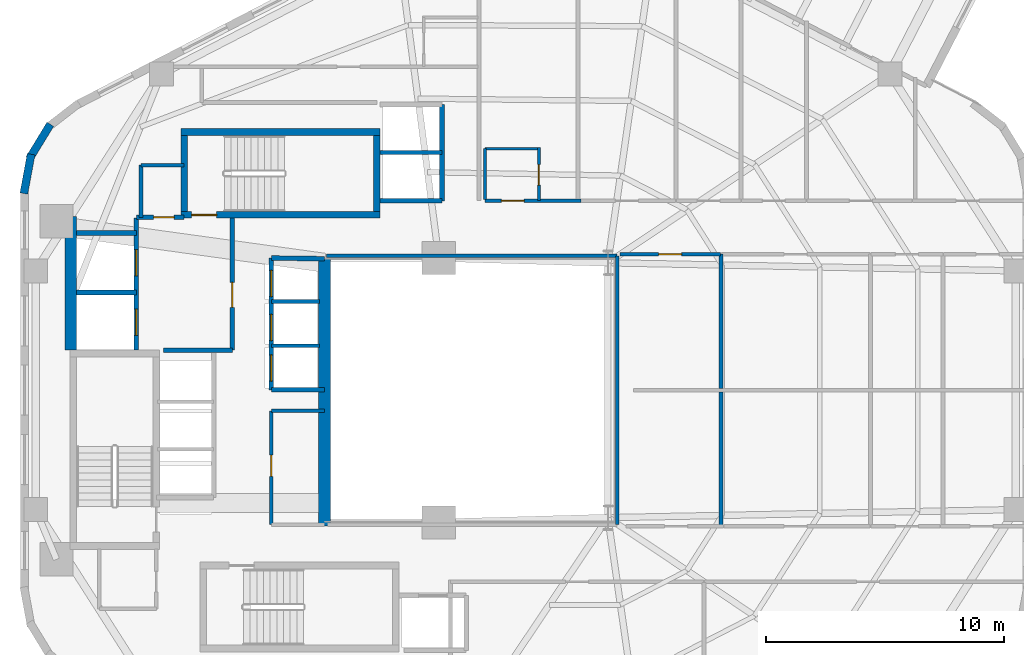
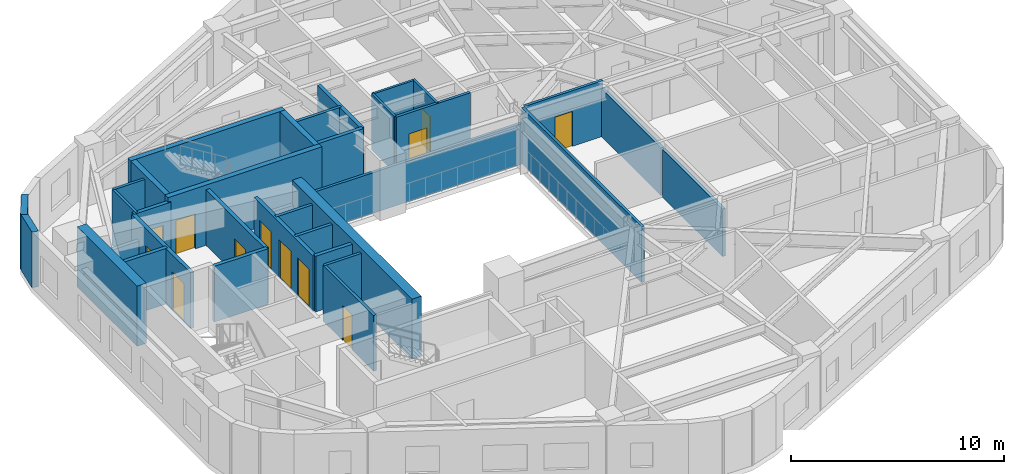
# One storey, part 6 of 11: 35 walls, 12 doors, 12 openings.
"""IFC4 building model written with IfcOpenShell, lengths in metres."""

from ifc_helpers import new_model, si_unit, direction, frame, frame_2d, origin, place, context, subcontext, project, spatial, rectangle, extrude, material, layer, layer_set, type_object, element, fill, save


model = new_model("IFC4")

# Units and contexts
model_context = context("Model", 3, precision=1e-05, world=origin(), true_north=direction((0.0, 1.0)))
body_context = subcontext(model_context, "Body", "Model", "MODEL_VIEW")
ifc_project = project(units=[si_unit("LENGTHUNIT", "METRE"), si_unit("AREAUNIT", "SQUARE_METRE"), si_unit("VOLUMEUNIT", "CUBIC_METRE"), si_unit("PLANEANGLEUNIT", "RADIAN"), si_unit("MASSUNIT", "GRAM", prefix="KILO"), si_unit("THERMODYNAMICTEMPERATUREUNIT", "KELVIN"), si_unit("POWERUNIT", "WATT")], contexts=[model_context])

# Site, building, storey
site_placement = place(None, origin())
site = spatial("IfcSite", under=ifc_project, at=site_placement, CompositionType="ELEMENT")
building_placement = place(site_placement, origin())
building = spatial("IfcBuilding", under=site, at=building_placement, Name="Skarre Station Tower", CompositionType="ELEMENT")
storey_placement = place(building_placement, frame((0.0, 0.0, 118.800048828125)))
storey = spatial("IfcBuildingStorey", under=building, at=storey_placement, Name="L31", CompositionType="ELEMENT", Elevation=118.800048828125)

# Wall, opening, door
ifc_material_1 = material(Name="Acoustic Steel-Stud Gypsum Partition", Category="steel")
ifc_layer_1 = layer(ifc_material_1, 0.14990234375, Name="Acoustic Steel-Stud Gypsum Partition")
ifc_layer_set_1 = layer_set([ifc_layer_1], Name="Acoustic Steel-Stud Gypsum Partition")
wall_type_1 = type_object("IfcWallType", Name="Fire-Rated Corridor Acoustic Partition 150", PredefinedType="PARTITIONING", material=ifc_layer_set_1)
wall_1_placement = place(storey_placement, frame((25.320068359375, 23.1298828125, 0.0), z_axis=(0.0, 0.0, 1.0), x_axis=(0.0, -1.0, 0.0)))
wall_1 = element("IfcWall", 1, at=wall_1_placement, inside=storey, type_object=wall_type_1, Name="L31 Interior Partition WL-PT-L31-RC1-W1", PredefinedType="PARTITIONING", context=body_context, shape_type="SweptSolid", body=[
    extrude(rectangle(XDim=4.769775390625, YDim=0.14990234375, at=frame_2d((2.384765625, 0.0))), origin(), (0.0, 0.0, 1.0), 3.18994140625),
])
opening_1_placement = place(wall_1_placement, frame((1.85009765625, 0.0, 0.0)))
opening_1 = element("IfcOpeningElement", 2, at=opening_1_placement, cuts=wall_1, Name="Opening DR-SVC90", PredefinedType="OPENING", context=body_context, shape_type="SweptSolid", body=[
    extrude(rectangle(XDim=0.89990234375, YDim=2.0, at=frame_2d((0.449951171875, 1.0))), frame((0.0, 0.0849609375, 0.0), z_axis=(0.0, -1.0, 0.0), x_axis=(1.0, 0.0, 0.0)), (0.0, 0.0, 1.0), 0.169921875),
])
ifc_material_2 = material(Name="Powder-Coated Hollow-Metal Acoustic Fire Leaf", Category="steel")
door_type_1 = type_object("IfcDoorType", Name="Service & Riser Fire Door FD60 900x2100", OperationType="SINGLE_SWING_LEFT", PredefinedType="DOOR", material=ifc_material_2)
door_1_placement = place(opening_1_placement, origin())
door_1 = element("IfcDoor", 3, at=door_1_placement, inside=storey, type_object=door_type_1, Name="L31 Core IT Room Door", OperationType="SINGLE_SWING_LEFT", OverallHeight=2.0, OverallWidth=0.89990234375, PredefinedType="DOOR", context=body_context, shape_type="SweptSolid", body=[
    extrude(rectangle(XDim=0.89990234375, YDim=2.0, at=frame_2d((0.449951171875, 1.0))), frame((0.0, 0.02490234375, 0.0), z_axis=(0.0, -1.0, 0.0), x_axis=(1.0, 0.0, 0.0)), (0.0, 0.0, 1.0), 0.050048828125),
])
fill(opening_1, door_1)

# Walls
wall_2_placement = place(storey_placement, frame((25.320068359375, 23.1298828125, 0.0), z_axis=(0.0, 0.0, 1.0), x_axis=(1.0, 0.0, 0.0)))
element("IfcWall", 4, at=wall_2_placement, inside=storey, type_object=wall_type_1, Name="L31 Interior Partition WL-PT-L31-RC1-N3", PredefinedType="PARTITIONING", context=body_context, shape_type="SweptSolid", body=[
    extrude(rectangle(XDim=2.22998046875, YDim=0.14990234375, at=frame_2d((1.114990234375, 0.0))), origin(), (0.0, 0.0, 1.0), 3.18994140625),
])
wall_3_placement = place(storey_placement, frame((19.85009765625, 33.449951171875, 0.0), z_axis=(0.0, 0.0, 1.0), x_axis=(0.0, -1.0, 0.0)))
element("IfcWall", 5, at=wall_3_placement, inside=storey, type_object=wall_type_1, Name="L31 Interior Partition WL-PT-L31-CNW-W", PredefinedType="PARTITIONING", context=body_context, shape_type="SweptSolid", body=[
    extrude(rectangle(XDim=2.18994140625, YDim=0.14990234375, at=frame_2d((1.094970703125, 0.0))), origin(), (0.0, 0.0, 1.0), 3.18994140625),
])
wall_4_placement = place(storey_placement, frame((21.659912109375, 33.449951171875, 0.0), z_axis=(0.0, 0.0, 1.0), x_axis=(-1.0, 0.0, 0.0)))
element("IfcWall", 6, at=wall_4_placement, inside=storey, type_object=wall_type_1, Name="L31 Interior Partition WL-PT-L31-CNW-N1", PredefinedType="PARTITIONING", context=body_context, shape_type="SweptSolid", body=[
    extrude(rectangle(XDim=1.809814453125, YDim=0.14990234375, at=frame_2d((0.90478515625, 0.0))), origin(), (0.0, 0.0, 1.0), 3.18994140625),
])
wall_5_placement = place(storey_placement, frame((39.840087890625, 29.639892578125, 0.0), z_axis=(0.0, 0.0, 1.0), x_axis=(-1.0, 0.0, 0.0)))
element("IfcWall", 7, at=wall_5_placement, inside=storey, type_object=wall_type_1, Name="L31 Interior Partition WL-PT-L31-ATRW-N", PredefinedType="PARTITIONING", context=body_context, shape_type="SweptSolid", body=[
    extrude(rectangle(XDim=12.2001953125, YDim=0.14990234375, at=frame_2d((6.10009765625, 0.0))), origin(), (0.0, 0.0, 1.0), 2.3310546875),
])
wall_6_placement = place(storey_placement, frame((39.840087890625, 18.360107421875, 0.0), z_axis=(0.0, 0.0, 1.0), x_axis=(0.0, 1.0, 0.0)))
element("IfcWall", 8, at=wall_6_placement, inside=storey, type_object=wall_type_1, Name="L31 Interior Partition WL-PT-L31-ATRW-E", PredefinedType="PARTITIONING", context=body_context, shape_type="SweptSolid", body=[
    extrude(rectangle(XDim=11.27978515625, YDim=0.14990234375, at=frame_2d((5.639892578125, 0.0))), origin(), (0.0, 0.0, 1.0), 3.18994140625),
])

# Wall, opening, door
wall_7_placement = place(storey_placement, frame((38.31103515625, 31.9599609375, 0.0), z_axis=(0.0, 0.0, 1.0), x_axis=(-1.0, 0.0, 0.0)))
wall_7 = element("IfcWall", 9, at=wall_7_placement, inside=storey, type_object=wall_type_1, Name="L31 Interior Partition WL-PT-L31-NW1-CW", PredefinedType="PARTITIONING", context=body_context, shape_type="SweptSolid", body=[
    extrude(rectangle(XDim=4.02099609375, YDim=0.14990234375, at=frame_2d((2.010498046875, 0.0))), origin(), (0.0, 0.0, 1.0), 3.18994140625),
])
opening_2_placement = place(wall_7_placement, frame((2.3740234375, 0.0, 0.0)))
opening_2 = element("IfcOpeningElement", 10, at=opening_2_placement, cuts=wall_7, Name="Opening DR-FD60", PredefinedType="OPENING", context=body_context, shape_type="SweptSolid", body=[
    extrude(rectangle(XDim=0.9599609375, YDim=2.0, at=frame_2d((0.47998046875, 1.0))), frame((0.0, 0.0849609375, 0.0), z_axis=(0.0, -1.0, 0.0), x_axis=(1.0, 0.0, 0.0)), (0.0, 0.0, 1.0), 0.169921875),
])
ifc_material_3 = material(Name="Nordic White-Oak Veneer Solid-Core Fire Leaf", Category="wood")
door_type_2 = type_object("IfcDoorType", Name="Corridor Suite Entry Fire Door FD60 960x2150", OperationType="SINGLE_SWING_LEFT", PredefinedType="DOOR", material=ifc_material_3)
door_2_placement = place(opening_2_placement, origin())
door_2 = element("IfcDoor", 11, at=door_2_placement, inside=storey, type_object=door_type_2, Name="L31 NW1 Entry Door", OperationType="SINGLE_SWING_LEFT", OverallHeight=2.0, OverallWidth=0.9599609375, PredefinedType="DOOR", context=body_context, shape_type="SweptSolid", body=[
    extrude(rectangle(XDim=0.9599609375, YDim=2.0, at=frame_2d((0.47998046875, 1.0))), frame((0.0, 0.02490234375, 0.0), z_axis=(0.0, -1.0, 0.0), x_axis=(1.0, 0.0, 0.0)), (0.0, 0.0, 1.0), 0.050048828125),
])
fill(opening_2, door_2)

wall_8_placement = place(storey_placement, frame((39.949951171875, 29.7099609375, 0.0), z_axis=(0.0, 0.0, 1.0), x_axis=(1.0, 0.0, 0.0)))
wall_8 = element("IfcWall", 12, at=wall_8_placement, inside=storey, type_object=wall_type_1, Name="L31 Interior Partition WL-PT-L31-EWN1-CW", PredefinedType="PARTITIONING", context=body_context, shape_type="SweptSolid", body=[
    extrude(rectangle(XDim=4.22705078125, YDim=0.14990234375, at=frame_2d((2.113525390625, 0.0))), origin(), (0.0, 0.0, 1.0), 3.18994140625),
])
opening_3_placement = place(wall_8_placement, frame((1.633056640625, 0.0, 0.0)))
opening_3 = element("IfcOpeningElement", 13, at=opening_3_placement, cuts=wall_8, Name="Opening DR-FD60", PredefinedType="OPENING", context=body_context, shape_type="SweptSolid", body=[
    extrude(rectangle(XDim=0.9599609375, YDim=2.0, at=frame_2d((0.47998046875, 1.0))), frame((0.0, 0.0849609375, 0.0), z_axis=(0.0, -1.0, 0.0), x_axis=(1.0, 0.0, 0.0)), (0.0, 0.0, 1.0), 0.169921875),
])
door_3_placement = place(opening_3_placement, origin())
door_3 = element("IfcDoor", 14, at=door_3_placement, inside=storey, type_object=door_type_2, Name="L31 EWN1 Entry Door", OperationType="SINGLE_SWING_LEFT", OverallHeight=2.0, OverallWidth=0.9599609375, PredefinedType="DOOR", context=body_context, shape_type="SweptSolid", body=[
    extrude(rectangle(XDim=0.9599609375, YDim=2.0, at=frame_2d((0.47998046875, 1.0))), frame((0.0, 0.02490234375, 0.0), z_axis=(0.0, -1.0, 0.0), x_axis=(1.0, 0.0, 0.0)), (0.0, 0.0, 1.0), 0.050048828125),
])
fill(opening_3, door_3)

ifc_material_4 = material(Name="Insulated Timber-Stud Gypsum Partition", Category="wood")
ifc_layer_2 = layer(ifc_material_4, 0.1201171875, Name="Insulated Timber-Stud Gypsum Partition")
ifc_layer_set_2 = layer_set([ifc_layer_2], Name="Insulated Timber-Stud Gypsum Partition")
wall_type_2 = type_object("IfcWallType", Name="Internal Suite Acoustic Partition 120", PredefinedType="PARTITIONING", material=ifc_layer_set_2)
wall_9_placement = place(storey_placement, frame((36.550048828125, 31.9599609375, 0.0), z_axis=(0.0, 0.0, 1.0), x_axis=(0.0, 1.0, 0.0)))
wall_9 = element("IfcWall", 15, at=wall_9_placement, inside=storey, type_object=wall_type_2, Name="L31 Interior Partition WL-PT-L31-NW1-EW2", PredefinedType="PARTITIONING", context=body_context, shape_type="SweptSolid", body=[
    extrude(rectangle(XDim=2.239990234375, YDim=0.1201171875, at=frame_2d((1.1201171875, 0.0))), origin(), (0.0, 0.0, 1.0), 3.18994140625),
])
opening_4_placement = place(wall_9_placement, frame((0.64990234375, 0.0, 0.0)))
opening_4 = element("IfcOpeningElement", 16, at=opening_4_placement, cuts=wall_9, Name="Opening DR-INT86", PredefinedType="OPENING", context=body_context, shape_type="SweptSolid", body=[
    extrude(rectangle(XDim=0.860107421875, YDim=2.0, at=frame_2d((0.43017578125, 1.0))), frame((0.0, 0.070068359375, 0.0), z_axis=(0.0, -1.0, 0.0), x_axis=(1.0, 0.0, 0.0)), (0.0, 0.0, 1.0), 0.14013671875),
])
ifc_material_5 = material(Name="Nordic Birch Acoustic Solid-Core Timber Leaf", Category="wood")
door_type_3 = type_object("IfcDoorType", Name="Internal En-Suite & Bedroom Door 860x2100", OperationType="SINGLE_SWING_LEFT", PredefinedType="DOOR", material=ifc_material_5)
door_4_placement = place(opening_4_placement, origin())
door_4 = element("IfcDoor", 17, at=door_4_placement, inside=storey, type_object=door_type_3, Name="L31 NW1 En-suite Door", OperationType="SINGLE_SWING_LEFT", OverallHeight=2.0, OverallWidth=0.860107421875, PredefinedType="DOOR", context=body_context, shape_type="SweptSolid", body=[
    extrude(rectangle(XDim=0.860107421875, YDim=2.0, at=frame_2d((0.43017578125, 1.0))), frame((0.0, 0.02490234375, 0.0), z_axis=(0.0, -1.0, 0.0), x_axis=(1.0, 0.0, 0.0)), (0.0, 0.0, 1.0), 0.050048828125),
])
fill(opening_4, door_4)

# Walls
wall_10_placement = place(storey_placement, frame((36.610107421875, 34.139892578125, 0.0), z_axis=(0.0, 0.0, 1.0), x_axis=(-1.0, 0.0, 0.0)))
element("IfcWall", 18, at=wall_10_placement, inside=storey, type_object=wall_type_2, Name="L31 Interior Partition WL-PT-L31-NW1-EW3", PredefinedType="PARTITIONING", context=body_context, shape_type="SweptSolid", body=[
    extrude(rectangle(XDim=2.320068359375, YDim=0.1201171875, at=frame_2d((1.16015625, 0.0))), origin(), (0.0, 0.0, 1.0), 3.18994140625),
])
wall_11_placement = place(storey_placement, frame((34.2900390625, 34.139892578125, 0.0), z_axis=(0.0, 0.0, 1.0), x_axis=(0.0, -1.0, 0.0)))
element("IfcWall", 19, at=wall_11_placement, inside=storey, type_object=wall_type_2, Name="L31 Interior Partition WL-PT-L31-NW1-EW4", PredefinedType="PARTITIONING", context=body_context, shape_type="SweptSolid", body=[
    extrude(rectangle(XDim=2.139892578125, YDim=0.1201171875, at=frame_2d((1.06982421875, 0.0))), origin(), (0.0, 0.0, 1.0), 3.18994140625),
])
ifc_material_6 = material(Name="Precast concrete C45/55", Category="concrete")
ifc_layer_3 = layer(ifc_material_6, 0.330078125, Name="Precast concrete C45/55")
ifc_layer_set_3 = layer_set([ifc_layer_3], Name="Precast concrete C45/55")
wall_type_3 = type_object("IfcWallType", Name="Nordic Rounded Corner Precast Wall 330", PredefinedType="STANDARD", material=ifc_layer_set_3)
wall_12_placement = place(storey_placement, frame((14.931884765625, 32.258056640625, 0.0), z_axis=(0.0, 0.0, 1.0), x_axis=(0.181984991895, 0.983301308209, 0.0)))
element("IfcWall", 20, at=wall_12_placement, inside=storey, type_object=wall_type_3, Name="L31 Rounded Corner Precast Wall F2-1", PredefinedType="STANDARD", context=body_context, shape_type="SweptSolid", body=[
    extrude(rectangle(XDim=1.677001953125, YDim=0.330078125, at=frame_2d((0.83837890625, 0.0))), origin(), (0.0, 0.0, 1.0), 3.18994140625),
])
wall_13_placement = place(storey_placement, frame((15.169921875, 33.73193359375, 0.0), z_axis=(0.0, 0.0, 1.0), x_axis=(0.520519429557, 0.853849824883, 0.0)))
element("IfcWall", 21, at=wall_13_placement, inside=storey, type_object=wall_type_3, Name="L31 Rounded Corner Precast Wall F2-2", PredefinedType="STANDARD", context=body_context, shape_type="SweptSolid", body=[
    extrude(rectangle(XDim=1.67724609375, YDim=0.330078125, at=frame_2d((0.838623046875, 0.0))), origin(), (0.0, 0.0, 1.0), 3.18994140625),
])

# Wall, opening, door
ifc_material_7 = material(Name="Concrete C50/60", Category="concrete")
ifc_layer_4 = layer(ifc_material_7, 0.280029296875, Name="Concrete C50/60")
ifc_layer_set_4 = layer_set([ifc_layer_4], Name="Concrete C50/60")
wall_type_4 = type_object("IfcWallType", Name="RC Core Shear Wall 280", PredefinedType="SHEAR", material=ifc_layer_set_4)
wall_14_placement = place(storey_placement, frame((21.52001953125, 31.360107421875, 0.0), z_axis=(0.0, 0.0, 1.0), x_axis=(1.0, 0.0, 0.0)))
wall_14 = element("IfcWall", 22, at=wall_14_placement, inside=storey, type_object=wall_type_4, Name="L31 Stair ST-3 South Shear Wall", PredefinedType="SHEAR", context=body_context, shape_type="SweptSolid", body=[
    extrude(rectangle(XDim=8.35986328125, YDim=0.280029296875, at=frame_2d((4.179931640625, 0.0))), origin(), (0.0, 0.0, 1.0), 3.449951171875),
])
opening_5_placement = place(wall_14_placement, frame((0.449951171875, 0.0, 0.0)))
opening_5 = element("IfcOpeningElement", 23, at=opening_5_placement, cuts=wall_14, Name="Opening DR-FD90", PredefinedType="OPENING", context=body_context, shape_type="SweptSolid", body=[
    extrude(rectangle(XDim=1.050048828125, YDim=2.0, at=frame_2d((0.52490234375, 1.0))), frame((0.0, 0.14990234375, 0.0), z_axis=(0.0, -1.0, 0.0), x_axis=(1.0, 0.0, 0.0)), (0.0, 0.0, 1.0), 0.300048828125),
])
ifc_material_8 = material(Name="Fire-Rated Insulated Steel Frame & Timber Core Leaf", Category="steel")
door_type_4 = type_object("IfcDoorType", Name="Stair & FSAE Lobby Fire Door FD90 1050x2150", OperationType="SINGLE_SWING_RIGHT", PredefinedType="DOOR", material=ifc_material_8)
door_5_placement = place(opening_5_placement, origin())
door_5 = element("IfcDoor", 24, at=door_5_placement, inside=storey, type_object=door_type_4, Name="L31 Stair ST-3 & FSAE Lobby Direct Exit Door", OperationType="SINGLE_SWING_LEFT", OverallHeight=2.0, OverallWidth=1.050048828125, PredefinedType="DOOR", context=body_context, shape_type="SweptSolid", body=[
    extrude(rectangle(XDim=1.050048828125, YDim=2.0, at=frame_2d((0.52490234375, 1.0))), frame((0.0, 0.02490234375, 0.0), z_axis=(0.0, -1.0, 0.0), x_axis=(1.0, 0.0, 0.0)), (0.0, 0.0, 1.0), 0.050048828125),
])
fill(opening_5, door_5)

# Walls
wall_15_placement = place(storey_placement, frame((29.8798828125, 34.840087890625, 0.0), z_axis=(0.0, 0.0, 1.0), x_axis=(-1.0, 0.0, 0.0)))
element("IfcWall", 25, at=wall_15_placement, inside=storey, type_object=wall_type_4, Name="L31 Stair ST-3 North Shear Wall", PredefinedType="SHEAR", context=body_context, shape_type="SweptSolid", body=[
    extrude(rectangle(XDim=8.35986328125, YDim=0.280029296875, at=frame_2d((4.179931640625, 0.0))), origin(), (0.0, 0.0, 1.0), 3.449951171875),
])
for number, where, z_axis, x_axis, name in (
    (26, (21.659912109375, 34.699951171875, 0.0), (0.0, 0.0, 1.0), (0.0, -1.0, 0.0), "L31 Stair ST-3 West Shear Wall"),
    (27, (29.739990234375, 31.5, 0.0), (0.0, 0.0, 1.0), (0.0, 1.0, 0.0), "L31 Stair ST-3 East Shear Wall"),
):
    element("IfcWall", number, at=place(storey_placement, frame(where, z_axis=z_axis, x_axis=x_axis)), inside=storey, type_object=wall_type_4, Name=name, PredefinedType="SHEAR", context=body_context, shape_type="SweptSolid", body=[
        extrude(rectangle(XDim=3.199951171875, YDim=0.280029296875, at=frame_2d((1.60009765625, 0.0))), origin(), (0.0, 0.0, 1.0), 3.449951171875),
    ])
ifc_material_9 = material(Name="Concrete C70/85", Category="concrete")
ifc_layer_5 = layer(ifc_material_9, 0.5, Name="Concrete C70/85")
ifc_layer_set_5 = layer_set([ifc_layer_5], Name="Concrete C70/85")
wall_type_5 = type_object("IfcWallType", Name="RC Core Shear Wall 500", PredefinedType="SHEAR", material=ifc_layer_set_5)
wall_16_placement = place(storey_placement, frame((16.89990234375, 25.679931640625, 0.0), z_axis=(0.0, 0.0, 1.0), x_axis=(0.0, 1.0, 0.0)))
element("IfcWall", 28, at=wall_16_placement, inside=storey, type_object=wall_type_5, Name="L31 Core West-North Shear Wall", PredefinedType="SHEAR", context=body_context, shape_type="SweptSolid", body=[
    extrude(rectangle(XDim=5.6201171875, YDim=0.5, at=frame_2d((2.81005859375, 0.0))), origin(), (0.0, 0.0, 1.0), 3.449951171875),
])
wall_17_placement = place(storey_placement, frame((27.550048828125, 29.550048828125, 0.0), z_axis=(0.0, 0.0, 1.0), x_axis=(0.0, -1.0, 0.0)))
element("IfcWall", 29, at=wall_17_placement, inside=storey, type_object=wall_type_5, Name="L31 Core East Atrium Shear Wall", PredefinedType="SHEAR", context=body_context, shape_type="SweptSolid", body=[
    extrude(rectangle(XDim=11.25, YDim=0.5, at=frame_2d((5.625, 0.0))), origin(), (0.0, 0.0, 1.0), 3.449951171875),
])

# Wall, openings, doors
ifc_material_10 = material(Name="Gypsum Concrete Shaft Assembly C30/37", Category="concrete")
ifc_layer_6 = layer(ifc_material_10, 0.199951171875, Name="Gypsum Concrete Shaft Assembly C30/37")
ifc_layer_set_6 = layer_set([ifc_layer_6], Name="Gypsum Concrete Shaft Assembly C30/37")
wall_type_6 = type_object("IfcWallType", Name="Shaft & Core Fire Partition 200", PredefinedType="PARTITIONING", material=ifc_layer_set_6)
wall_18_placement = place(storey_placement, frame((19.64990234375, 25.679931640625, 0.0), z_axis=(0.0, 0.0, 1.0), x_axis=(0.0, 1.0, 0.0)))
wall_18 = element("IfcWall", 30, at=wall_18_placement, inside=storey, type_object=wall_type_6, Name="L31 Interior Partition WL-PT-L31-FSAE-W", PredefinedType="PARTITIONING", context=body_context, shape_type="SweptSolid", body=[
    extrude(rectangle(XDim=5.5400390625, YDim=0.199951171875, at=frame_2d((2.77001953125, 0.0))), origin(), (0.0, 0.0, 1.0), 3.18994140625),
])
opening_6_placement = place(wall_18_placement, frame((0.6201171875, 0.0, 0.0)))
opening_6 = element("IfcOpeningElement", 31, at=opening_6_placement, cuts=wall_18, Name="Opening LD-FF1", PredefinedType="OPENING", context=body_context, shape_type="SweptSolid", body=[
    extrude(rectangle(XDim=1.10009765625, YDim=2.199951171875, at=frame_2d((0.550048828125, 1.10009765625))), frame((0.0, 0.10986328125, 0.0), z_axis=(0.0, -1.0, 0.0), x_axis=(1.0, 0.0, 0.0)), (0.0, 0.0, 1.0), 0.219970703125),
])
opening_7_placement = place(wall_18_placement, frame((3.1201171875, 0.0, 0.0)))
opening_7 = element("IfcOpeningElement", 32, at=opening_7_placement, cuts=wall_18, Name="Opening LD-FF2", PredefinedType="OPENING", context=body_context, shape_type="SweptSolid", body=[
    extrude(rectangle(XDim=1.10009765625, YDim=2.199951171875, at=frame_2d((0.550048828125, 1.10009765625))), frame((0.0, 0.10986328125, 0.0), z_axis=(0.0, -1.0, 0.0), x_axis=(1.0, 0.0, 0.0)), (0.0, 0.0, 1.0), 0.219970703125),
])
ifc_material_11 = material(Name="Fire-Rated Stainless Steel Grade 316L Sliding Leaves", Category="steel")
door_type_5 = type_object("IfcDoorType", Name="Fire Service Access Elevator Sliding Landing Door 1100x2200", OperationType="SLIDING_TO_LEFT", PredefinedType="DOOR", material=ifc_material_11)
door_6_placement = place(opening_6_placement, origin())
door_6 = element("IfcDoor", 33, at=door_6_placement, inside=storey, type_object=door_type_5, Name="L31 Firefighting Lift LF-FF1 Landing Door", OperationType="SLIDING_TO_LEFT", OverallHeight=2.199951171875, OverallWidth=1.10009765625, PredefinedType="DOOR", context=body_context, shape_type="SweptSolid", body=[
    extrude(rectangle(XDim=1.10009765625, YDim=2.199951171875, at=frame_2d((0.550048828125, 1.10009765625))), frame((0.0, 0.02490234375, 0.0), z_axis=(0.0, -1.0, 0.0), x_axis=(1.0, 0.0, 0.0)), (0.0, 0.0, 1.0), 0.050048828125),
])
fill(opening_6, door_6)
door_7_placement = place(opening_7_placement, origin())
door_7 = element("IfcDoor", 34, at=door_7_placement, inside=storey, type_object=door_type_5, Name="L31 Firefighting Lift LF-FF2 Landing Door", OperationType="SLIDING_TO_LEFT", OverallHeight=2.199951171875, OverallWidth=1.10009765625, PredefinedType="DOOR", context=body_context, shape_type="SweptSolid", body=[
    extrude(rectangle(XDim=1.10009765625, YDim=2.199951171875, at=frame_2d((0.550048828125, 1.10009765625))), frame((0.0, 0.02490234375, 0.0), z_axis=(0.0, -1.0, 0.0), x_axis=(1.0, 0.0, 0.0)), (0.0, 0.0, 1.0), 0.050048828125),
])
fill(opening_7, door_7)

# Wall
wall_19_placement = place(storey_placement, frame((20.79296875, 25.679931640625, 0.0), z_axis=(0.0, 0.0, 1.0), x_axis=(1.0, 0.0, 0.0)))
element("IfcWall", 35, at=wall_19_placement, inside=storey, type_object=wall_type_6, Name="L31 Interior Partition WL-PT-L31-FSAE-S", PredefinedType="PARTITIONING", context=body_context, shape_type="SweptSolid", body=[
    extrude(rectangle(XDim=2.886962890625, YDim=0.199951171875, at=frame_2d((1.443359375, 0.0))), origin(), (0.0, 0.0, 1.0), 3.18994140625),
])

# Wall, opening, door
wall_20_placement = place(storey_placement, frame((23.679931640625, 25.679931640625, 0.0), z_axis=(0.0, 0.0, 1.0), x_axis=(0.0, 1.0, 0.0)))
wall_20 = element("IfcWall", 36, at=wall_20_placement, inside=storey, type_object=wall_type_6, Name="L31 Interior Partition WL-PT-L31-FSAE-E", PredefinedType="PARTITIONING", context=body_context, shape_type="SweptSolid", body=[
    extrude(rectangle(XDim=5.5400390625, YDim=0.199951171875, at=frame_2d((2.77001953125, 0.0))), origin(), (0.0, 0.0, 1.0), 3.18994140625),
])
opening_8_placement = place(wall_20_placement, frame((1.800048828125, 0.0, 0.0)))
opening_8 = element("IfcOpeningElement", 37, at=opening_8_placement, cuts=wall_20, Name="Opening DR-FD90", PredefinedType="OPENING", context=body_context, shape_type="SweptSolid", body=[
    extrude(rectangle(XDim=1.050048828125, YDim=2.0, at=frame_2d((0.52490234375, 1.0))), frame((0.0, 0.10986328125, 0.0), z_axis=(0.0, -1.0, 0.0), x_axis=(1.0, 0.0, 0.0)), (0.0, 0.0, 1.0), 0.219970703125),
])
door_8_placement = place(opening_8_placement, origin())
door_8 = element("IfcDoor", 38, at=door_8_placement, inside=storey, type_object=door_type_4, Name="L31 FSAE Lobby Fire Door", OperationType="SINGLE_SWING_RIGHT", OverallHeight=2.0, OverallWidth=1.050048828125, PredefinedType="DOOR", context=body_context, shape_type="SweptSolid", body=[
    extrude(rectangle(XDim=1.050048828125, YDim=2.0, at=frame_2d((0.52490234375, 1.0))), frame((0.0, 0.02490234375, 0.0), z_axis=(0.0, -1.0, 0.0), x_axis=(1.0, 0.0, 0.0)), (0.0, 0.0, 1.0), 0.050048828125),
])
fill(opening_8, door_8)

wall_21_placement = place(storey_placement, frame((21.659912109375, 31.260009765625, 0.0), z_axis=(0.0, 0.0, 1.0), x_axis=(-1.0, 0.0, 0.0)))
wall_21 = element("IfcWall", 39, at=wall_21_placement, inside=storey, type_object=wall_type_6, Name="L31 Interior Partition WL-PT-L31-FSAE-N", PredefinedType="PARTITIONING", context=body_context, shape_type="SweptSolid", body=[
    extrude(rectangle(XDim=2.010009765625, YDim=0.199951171875, at=frame_2d((1.0048828125, 0.0))), origin(), (0.0, 0.0, 1.0), 3.18994140625),
])
opening_9_placement = place(wall_21_placement, frame((0.419921875, 0.0, 0.0)))
opening_9 = element("IfcOpeningElement", 40, at=opening_9_placement, cuts=wall_21, Name="Opening DR-SVC86", PredefinedType="OPENING", context=body_context, shape_type="SweptSolid", body=[
    extrude(rectangle(XDim=0.860107421875, YDim=2.0, at=frame_2d((0.43017578125, 1.0))), frame((0.0, 0.10986328125, 0.0), z_axis=(0.0, -1.0, 0.0), x_axis=(1.0, 0.0, 0.0)), (0.0, 0.0, 1.0), 0.219970703125),
])
door_type_6 = type_object("IfcDoorType", Name="Compact Riser Fire Door FD60 860x2100", OperationType="SINGLE_SWING_LEFT", PredefinedType="DOOR", material=ifc_material_2)
door_9_placement = place(opening_9_placement, origin())
door_9 = element("IfcDoor", 41, at=door_9_placement, inside=storey, type_object=door_type_6, Name="L31 Core Service Room Lobby Door", OperationType="SINGLE_SWING_LEFT", OverallHeight=2.0, OverallWidth=0.860107421875, PredefinedType="DOOR", context=body_context, shape_type="SweptSolid", body=[
    extrude(rectangle(XDim=0.860107421875, YDim=2.0, at=frame_2d((0.43017578125, 1.0))), frame((0.0, 0.02490234375, 0.0), z_axis=(0.0, -1.0, 0.0), x_axis=(1.0, 0.0, 0.0)), (0.0, 0.0, 1.0), 0.050048828125),
])
fill(opening_9, door_9)

# Walls
wall_22_placement = place(storey_placement, frame((17.14990234375, 28.10009765625, 0.0), z_axis=(0.0, 0.0, 1.0), x_axis=(1.0, 0.0, 0.0)))
element("IfcWall", 42, at=wall_22_placement, inside=storey, type_object=wall_type_6, Name="L31 Interior Partition WL-PT-L31-FF-DIV", PredefinedType="PARTITIONING", context=body_context, shape_type="SweptSolid", body=[
    extrude(rectangle(XDim=2.5, YDim=0.199951171875, at=frame_2d((1.25, 0.0))), origin(), (0.0, 0.0, 1.0), 3.18994140625),
])
wall_23_placement = place(storey_placement, frame((19.64990234375, 30.60009765625, 0.0), z_axis=(0.0, 0.0, 1.0), x_axis=(-1.0, 0.0, 0.0)))
element("IfcWall", 43, at=wall_23_placement, inside=storey, type_object=wall_type_6, Name="L31 Interior Partition WL-PT-L31-FF-N", PredefinedType="PARTITIONING", context=body_context, shape_type="SweptSolid", body=[
    extrude(rectangle(XDim=2.5, YDim=0.199951171875, at=frame_2d((1.25, 0.0))), origin(), (0.0, 0.0, 1.0), 2.08984375),
])
wall_24_placement = place(storey_placement, frame((32.47998046875, 31.949951171875, 0.0), z_axis=(0.0, 0.0, 1.0), x_axis=(0.0, 1.0, 0.0)))
element("IfcWall", 44, at=wall_24_placement, inside=storey, type_object=wall_type_6, Name="L31 Interior Partition WL-PT-L31-EX-E", PredefinedType="PARTITIONING", context=body_context, shape_type="SweptSolid", body=[
    extrude(rectangle(XDim=4.050048828125, YDim=0.199951171875, at=frame_2d((2.02490234375, 0.0))), origin(), (0.0, 0.0, 1.0), 3.18994140625),
])
wall_25_placement = place(storey_placement, frame((32.47998046875, 31.949951171875, 0.0), z_axis=(0.0, 0.0, 1.0), x_axis=(-1.0, 0.0, 0.0)))
element("IfcWall", 45, at=wall_25_placement, inside=storey, type_object=wall_type_6, Name="L31 Interior Partition WL-PT-L31-EX-S", PredefinedType="PARTITIONING", context=body_context, shape_type="SweptSolid", body=[
    extrude(rectangle(XDim=2.60009765625, YDim=0.199951171875, at=frame_2d((1.300048828125, 0.0))), origin(), (0.0, 0.0, 1.0), 3.18994140625),
])
wall_26_placement = place(storey_placement, frame((29.875, 33.97998046875, 0.0), z_axis=(0.0, 0.0, 1.0), x_axis=(1.0, 0.0, 0.0)))
element("IfcWall", 46, at=wall_26_placement, inside=storey, type_object=wall_type_6, Name="L31 Interior Partition WL-PT-L31-EX-DIV", PredefinedType="PARTITIONING", context=body_context, shape_type="SweptSolid", body=[
    extrude(rectangle(XDim=2.60498046875, YDim=0.159912109375, at=frame_2d((1.302490234375, 0.0))), origin(), (0.0, 0.0, 1.0), 3.18994140625),
])

# Wall, openings, doors
wall_27_placement = place(storey_placement, frame((25.320068359375, 29.550048828125, 0.0), z_axis=(0.0, 0.0, 1.0), x_axis=(0.0, -1.0, 0.0)))
wall_27 = element("IfcWall", 47, at=wall_27_placement, inside=storey, type_object=wall_type_6, Name="L31 Interior Partition WL-PT-L31-B2-W", PredefinedType="PARTITIONING", context=body_context, shape_type="SweptSolid", body=[
    extrude(rectangle(XDim=5.530029296875, YDim=0.199951171875, at=frame_2d((2.76513671875, 0.0))), origin(), (0.0, 0.0, 1.0), 3.18994140625),
])
opening_10_placement = place(wall_27_placement, frame((0.52001953125, 0.0, 0.0)))
opening_10 = element("IfcOpeningElement", 48, at=opening_10_placement, cuts=wall_27, Name="Opening LD-P6", PredefinedType="OPENING", context=body_context, shape_type="SweptSolid", body=[
    extrude(rectangle(XDim=1.10009765625, YDim=2.199951171875, at=frame_2d((0.550048828125, 1.10009765625))), frame((0.0, 0.10986328125, 0.0), z_axis=(0.0, -1.0, 0.0), x_axis=(1.0, 0.0, 0.0)), (0.0, 0.0, 1.0), 0.219970703125),
])
opening_11_placement = place(wall_27_placement, frame((2.3701171875, 0.0, 0.0)))
opening_11 = element("IfcOpeningElement", 49, at=opening_11_placement, cuts=wall_27, Name="Opening LD-P5", PredefinedType="OPENING", context=body_context, shape_type="SweptSolid", body=[
    extrude(rectangle(XDim=1.10009765625, YDim=2.199951171875, at=frame_2d((0.550048828125, 1.10009765625))), frame((0.0, 0.10986328125, 0.0), z_axis=(0.0, -1.0, 0.0), x_axis=(1.0, 0.0, 0.0)), (0.0, 0.0, 1.0), 0.219970703125),
])
opening_12_placement = place(wall_27_placement, frame((4.070068359375, 0.0, 0.0)))
opening_12 = element("IfcOpeningElement", 50, at=opening_12_placement, cuts=wall_27, Name="Opening LD-P4", PredefinedType="OPENING", context=body_context, shape_type="SweptSolid", body=[
    extrude(rectangle(XDim=1.10009765625, YDim=2.199951171875, at=frame_2d((0.550048828125, 1.10009765625))), frame((0.0, 0.10986328125, 0.0), z_axis=(0.0, -1.0, 0.0), x_axis=(1.0, 0.0, 0.0)), (0.0, 0.0, 1.0), 0.219970703125),
])
ifc_material_12 = material(Name="Brushed Bronze Stainless Steel Sliding Leaves", Category="steel")
door_type_7 = type_object("IfcDoorType", Name="Passenger Elevator Center-Parting Sliding Door 1100x2200", OperationType="SLIDING_TO_LEFT", PredefinedType="DOOR", material=ifc_material_12)
door_10_placement = place(opening_10_placement, origin())
door_10 = element("IfcDoor", 51, at=door_10_placement, inside=storey, type_object=door_type_7, Name="L31 Passenger Lift LF-P6 Landing Door", OperationType="SLIDING_TO_LEFT", OverallHeight=2.199951171875, OverallWidth=1.10009765625, PredefinedType="DOOR", context=body_context, shape_type="SweptSolid", body=[
    extrude(rectangle(XDim=1.10009765625, YDim=2.199951171875, at=frame_2d((0.550048828125, 1.10009765625))), frame((0.0, 0.02490234375, 0.0), z_axis=(0.0, -1.0, 0.0), x_axis=(1.0, 0.0, 0.0)), (0.0, 0.0, 1.0), 0.050048828125),
])
fill(opening_10, door_10)
door_11_placement = place(opening_11_placement, origin())
door_11 = element("IfcDoor", 52, at=door_11_placement, inside=storey, type_object=door_type_7, Name="L31 Passenger Lift LF-P5 Landing Door", OperationType="SLIDING_TO_LEFT", OverallHeight=2.199951171875, OverallWidth=1.10009765625, PredefinedType="DOOR", context=body_context, shape_type="SweptSolid", body=[
    extrude(rectangle(XDim=1.10009765625, YDim=2.199951171875, at=frame_2d((0.550048828125, 1.10009765625))), frame((0.0, 0.02490234375, 0.0), z_axis=(0.0, -1.0, 0.0), x_axis=(1.0, 0.0, 0.0)), (0.0, 0.0, 1.0), 0.050048828125),
])
fill(opening_11, door_11)
door_12_placement = place(opening_12_placement, origin())
door_12 = element("IfcDoor", 53, at=door_12_placement, inside=storey, type_object=door_type_7, Name="L31 Passenger Lift LF-P4 Landing Door", OperationType="SLIDING_TO_LEFT", OverallHeight=2.199951171875, OverallWidth=1.10009765625, PredefinedType="DOOR", context=body_context, shape_type="SweptSolid", body=[
    extrude(rectangle(XDim=1.10009765625, YDim=2.199951171875, at=frame_2d((0.550048828125, 1.10009765625))), frame((0.0, 0.02490234375, 0.0), z_axis=(0.0, -1.0, 0.0), x_axis=(1.0, 0.0, 0.0)), (0.0, 0.0, 1.0), 0.050048828125),
])
fill(opening_12, door_12)

# Walls
wall_28_placement = place(storey_placement, frame((27.550048828125, 29.52001953125, 0.0), z_axis=(0.0, 0.0, 1.0), x_axis=(-0.999909343457, 0.013464949556, 0.0)))
element("IfcWall", 54, at=wall_28_placement, inside=storey, type_object=wall_type_6, Name="L31 Interior Partition WL-PT-L31-B2-N", PredefinedType="PARTITIONING", context=body_context, shape_type="SweptSolid", body=[
    extrude(rectangle(XDim=2.230224609375, YDim=0.199951171875, at=frame_2d((1.115234375, 0.0))), origin(), (0.0, 0.0, 1.0), 2.08984375),
])
wall_29_placement = place(storey_placement, frame((25.320068359375, 24.02001953125, 0.0), z_axis=(0.0, 0.0, 1.0), x_axis=(1.0, 0.0, 0.0)))
element("IfcWall", 55, at=wall_29_placement, inside=storey, type_object=wall_type_6, Name="L31 Interior Partition WL-PT-L31-B2-S", PredefinedType="PARTITIONING", context=body_context, shape_type="SweptSolid", body=[
    extrude(rectangle(XDim=2.22998046875, YDim=0.199951171875, at=frame_2d((1.114990234375, 0.0))), origin(), (0.0, 0.0, 1.0), 3.18994140625),
])
for number, where, z_axis, x_axis, name in (
    (56, (25.320068359375, 25.8701171875, 0.0), (0.0, 0.0, 1.0), (1.0, 0.0, 0.0), "L31 Interior Partition WL-PT-L31-B2-D258"),
    (57, (25.320068359375, 27.719970703125, 0.0), (0.0, 0.0, 1.0), (1.0, 0.0, 0.0), "L31 Interior Partition WL-PT-L31-B2-D277"),
):
    element("IfcWall", number, at=place(storey_placement, frame(where, z_axis=z_axis, x_axis=x_axis)), inside=storey, type_object=wall_type_6, Name=name, PredefinedType="PARTITIONING", context=body_context, shape_type="SweptSolid", body=[
        extrude(rectangle(XDim=2.030029296875, YDim=0.159912109375, at=frame_2d((1.01513671875, 0.0))), origin(), (0.0, 0.0, 1.0), 3.18994140625),
    ])
ifc_layer_7 = layer(ifc_material_1, 0.1650390625, Name="Acoustic Steel-Stud Gypsum Partition")
ifc_layer_set_7 = layer_set([ifc_layer_7], Name="Acoustic Steel-Stud Gypsum Partition")
wall_type_7 = type_object("IfcWallType", Name="Suite Demising Acoustic Partition 165", PredefinedType="PARTITIONING", material=ifc_layer_set_7)
for number, where, z_axis, x_axis, name in (
    (58, (44.19189453125, 24.070068359375, 0.0), (0.0, 0.0, 1.0), (0.0, 1.0, 0.0), "L31 Interior Partition WL-PT-L31-EWN-P1"),
    (59, (44.19189453125, 18.2900390625, 0.0), (0.0, 0.0, 1.0), (0.0, 1.0, 0.0), "L31 Interior Partition WL-PT-L31-EWS-P1"),
):
    element("IfcWall", number, at=place(storey_placement, frame(where, z_axis=z_axis, x_axis=x_axis)), inside=storey, type_object=wall_type_7, Name=name, PredefinedType="PARTITIONING", context=body_context, shape_type="SweptSolid", body=[
        extrude(rectangle(XDim=5.639892578125, YDim=0.1650390625, at=frame_2d((2.81982421875, 0.0))), origin(), (0.0, 0.0, 1.0), 2.73291015625),
    ])

save(model, "model.ifc")
